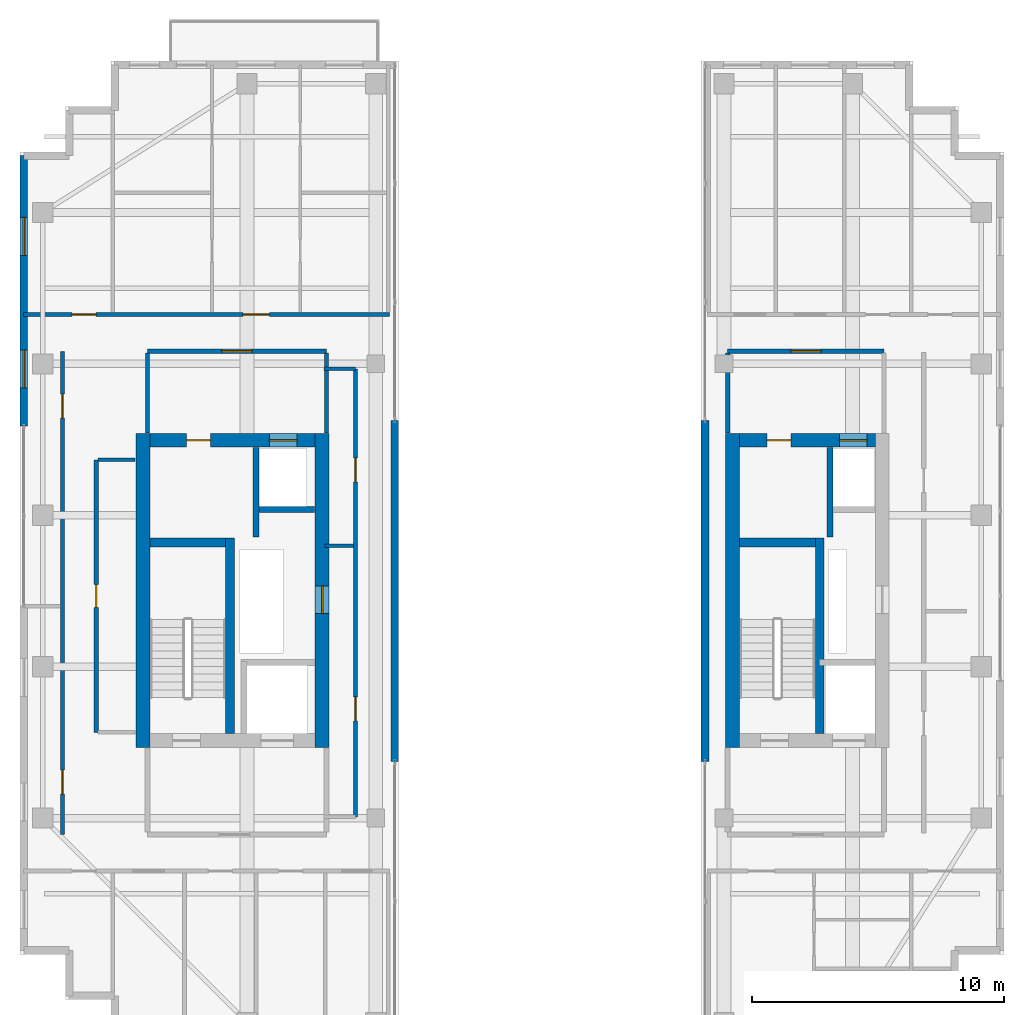
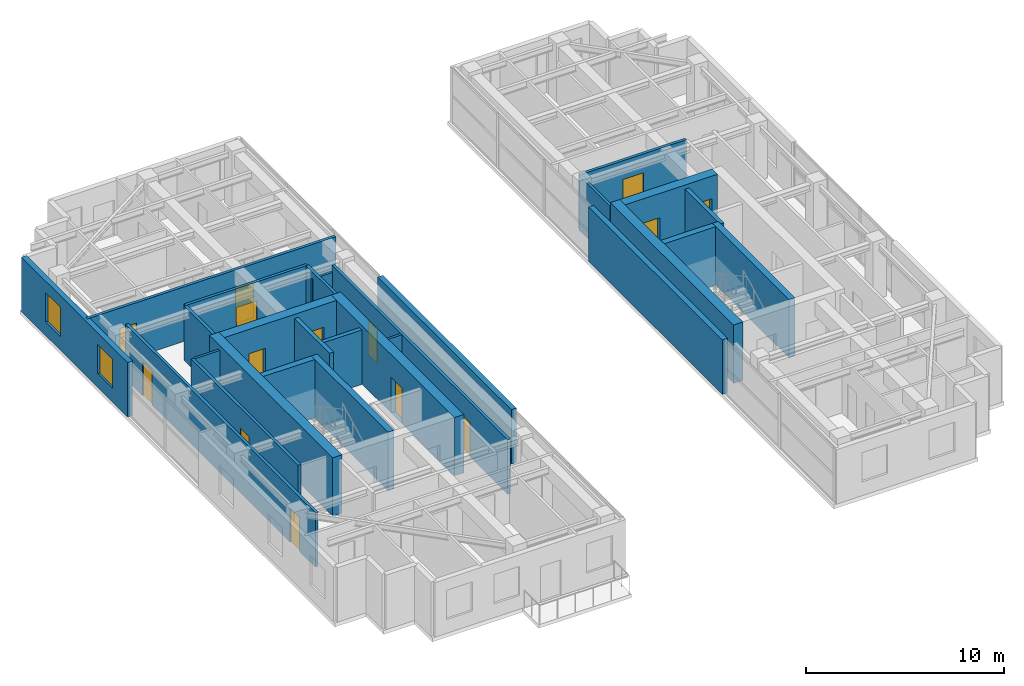
# One storey, part 18 of 22: 27 walls, 14 doors, 2 windows, 16 openings.
"""IFC4 building model written with IfcOpenShell, lengths in metres."""

from ifc_helpers import new_model, si_unit, direction, frame, frame_2d, origin, place, context, subcontext, project, spatial, rectangle, extrude, source, transform, mapped, material, layer, layer_set, type_object, element, fill, save


model = new_model("IFC4")

# Units and contexts
model_context = context("Model", 3, precision=1e-05, world=origin(), true_north=direction((0.0, 1.0)))
body_context = subcontext(model_context, "Body", "Model", "MODEL_VIEW")
ifc_project = project(units=[si_unit("LENGTHUNIT", "METRE"), si_unit("AREAUNIT", "SQUARE_METRE"), si_unit("VOLUMEUNIT", "CUBIC_METRE"), si_unit("PLANEANGLEUNIT", "RADIAN"), si_unit("MASSUNIT", "GRAM", prefix="KILO")], contexts=[model_context])

# Site, building, storey
site_placement = place(None, origin())
site = spatial("IfcSite", under=ifc_project, at=site_placement, CompositionType="ELEMENT")
building_placement = place(site_placement, origin())
building = spatial("IfcBuilding", under=site, at=building_placement, Name="Khoralis Quay Care Tower", CompositionType="ELEMENT")
storey_placement = place(building_placement, frame((0.0, 0.0, 260.10009765625)))
storey = spatial("IfcBuildingStorey", under=building, at=storey_placement, Name="L68", CompositionType="ELEMENT", Elevation=260.10009765625)

# Wall
ifc_material_1 = material(Name="Concrete C65/80", Category="concrete")
ifc_layer_1 = layer(ifc_material_1, 0.550048828125)
ifc_layer_set_1 = layer_set([ifc_layer_1], Name="Concrete C65/80")
wall_type_1 = type_object("IfcWallType", Name="WL-CORE-550", PredefinedType="SHEAR", material=ifc_layer_set_1)
wall_1_placement = place(storey_placement, frame((7.875, 14.800048828125, 0.0), z_axis=(0.0, 0.0, 1.0), x_axis=(0.0, 1.0, 0.0)))
element("IfcWall", 1, at=wall_1_placement, inside=storey, type_object=wall_type_1, Name="L68 WCORE West Shear Wall", PredefinedType="SHEAR", context=body_context, shape_type="SweptSolid", body=[
    extrude(rectangle(XDim=12.449951171875, YDim=0.550048828125, at=frame_2d((6.22509765625, 0.0))), origin(), (0.0, 0.0, 1.0), 3.599853515625),
])

# Wall, opening, door
wall_2_placement = place(storey_placement, frame((14.97509765625, 14.800048828125, 0.0), z_axis=(0.0, 0.0, 1.0), x_axis=(0.0, 1.0, 0.0)))
wall_2 = element("IfcWall", 2, at=wall_2_placement, inside=storey, type_object=wall_type_1, Name="L68 WCORE East Shear Wall", PredefinedType="SHEAR", context=body_context, shape_type="SweptSolid", body=[
    extrude(rectangle(XDim=12.449951171875, YDim=0.550048828125, at=frame_2d((6.22509765625, 0.0))), origin(), (0.0, 0.0, 1.0), 3.599853515625),
])
opening_1_placement = place(wall_2_placement, frame((5.300048828125, 0.0, 0.0)))
opening_1 = element("IfcOpeningElement", 3, at=opening_1_placement, cuts=wall_2, Name="Opening SD1", PredefinedType="OPENING", context=body_context, shape_type="SweptSolid", body=[
    extrude(rectangle(XDim=1.10009765625, YDim=2.199951171875, at=frame_2d((0.550048828125, 1.10009765625))), frame((0.0, 0.28515625, 0.0), z_axis=(0.0, -1.0, 0.0), x_axis=(1.0, 0.0, 0.0)), (0.0, 0.0, 1.0), 0.570068359375),
])
ifc_material_2 = material(Name="Fire-rated painted steel", Category="steel")
door_type_1 = type_object("IfcDoorType", Name="DR-STAIR-1100X2200", OperationType="NOTDEFINED", PredefinedType="DOOR", material=ifc_material_2)
shared_shape_1 = source(origin(), body_context, "Body", "SweptSolid", [
    extrude(rectangle(XDim=1.10009765625, YDim=2.199951171875, at=frame_2d((0.550048828125, 1.10009765625))), frame((0.0, 0.02490234375, 0.0), z_axis=(0.0, -1.0, 0.0), x_axis=(1.0, 0.0, 0.0)), (0.0, 0.0, 1.0), 0.050048828125),
])
door_1_placement = place(opening_1_placement, origin())
door_1 = element("IfcDoor", 4, at=door_1_placement, inside=storey, type_object=door_type_1, Name="L68 West MEP Riser Door", OperationType="SINGLE_SWING_RIGHT", OverallHeight=2.199951171875, OverallWidth=1.10009765625, PredefinedType="DOOR", context=body_context, shape_type="MappedRepresentation", body=[
    mapped(shared_shape_1, transform((0.0, 0.0, 0.0), scale=1.0)),
])
fill(opening_1, door_1)

# Wall, openings, doors
wall_3_placement = place(storey_placement, frame((8.14990234375, 26.97509765625, 0.0), z_axis=(0.0, 0.0, 1.0), x_axis=(1.0, 0.0, 0.0)))
wall_3 = element("IfcWall", 5, at=wall_3_placement, inside=storey, type_object=wall_type_1, Name="L68 WCORE North Shear Wall", PredefinedType="SHEAR", context=body_context, shape_type="SweptSolid", body=[
    extrude(rectangle(XDim=6.550048828125, YDim=0.550048828125, at=frame_2d((3.27490234375, 0.0))), origin(), (0.0, 0.0, 1.0), 3.599853515625),
])
opening_2_placement = place(wall_3_placement, frame((1.449951171875, 0.0, 0.0)))
opening_2 = element("IfcOpeningElement", 6, at=opening_2_placement, cuts=wall_3, Name="Opening ID1", PredefinedType="OPENING", context=body_context, shape_type="SweptSolid", body=[
    extrude(rectangle(XDim=0.949951171875, YDim=2.10009765625, at=frame_2d((0.47509765625, 1.050048828125))), frame((0.0, 0.28515625, 0.0), z_axis=(0.0, -1.0, 0.0), x_axis=(1.0, 0.0, 0.0)), (0.0, 0.0, 1.0), 0.570068359375),
])
opening_3_placement = place(wall_3_placement, frame((4.72998046875, 0.0, 0.0)))
opening_3 = element("IfcOpeningElement", 7, at=opening_3_placement, cuts=wall_3, Name="Opening LD1", PredefinedType="OPENING", context=body_context, shape_type="SweptSolid", body=[
    extrude(rectangle(XDim=1.10009765625, YDim=2.199951171875, at=frame_2d((0.550048828125, 1.10009765625))), frame((0.0, 0.28515625, 0.0), z_axis=(0.0, -1.0, 0.0), x_axis=(1.0, 0.0, 0.0)), (0.0, 0.0, 1.0), 0.570068359375),
])
ifc_material_3 = material(Name="Brushed stainless steel", Category="steel")
door_type_2 = type_object("IfcDoorType", Name="DR-LIFT-1100X2200", OperationType="SLIDING_TO_LEFT", PredefinedType="DOOR", material=ifc_material_3)
shared_shape_2 = source(origin(), body_context, "Body", "SweptSolid", [
    extrude(rectangle(XDim=1.10009765625, YDim=2.199951171875, at=frame_2d((0.550048828125, 1.10009765625))), frame((0.0, 0.02490234375, 0.0), z_axis=(0.0, -1.0, 0.0), x_axis=(1.0, 0.0, 0.0)), (0.0, 0.0, 1.0), 0.050048828125),
])
door_2_placement = place(opening_3_placement, origin())
door_2 = element("IfcDoor", 8, at=door_2_placement, inside=storey, type_object=door_type_2, Name="L68 Lift PLH1 Landing Door", OperationType="SLIDING_TO_LEFT", OverallHeight=2.199951171875, OverallWidth=1.10009765625, PredefinedType="DOOR", context=body_context, shape_type="MappedRepresentation", body=[
    mapped(shared_shape_2, transform((0.0, 0.0, 0.0), scale=1.0)),
])
fill(opening_3, door_2)
ifc_material_4 = material(Name="Acoustic hardwood timber", Category="wood")
door_type_3 = type_object("IfcDoorType", Name="DR-ROOM-950X2100", OperationType="NOTDEFINED", PredefinedType="DOOR", material=ifc_material_4)
shared_shape_3 = source(origin(), body_context, "Body", "SweptSolid", [
    extrude(rectangle(XDim=0.949951171875, YDim=2.10009765625, at=frame_2d((0.47509765625, 1.050048828125))), frame((0.0, 0.02490234375, 0.0), z_axis=(0.0, -1.0, 0.0), x_axis=(1.0, 0.0, 0.0)), (0.0, 0.0, 1.0), 0.050048828125),
])
door_3_placement = place(opening_2_placement, frame((0.949951171875, 0.0, 0.0), z_axis=(0.0, 0.0, 1.0), x_axis=(-1.0, 0.0, 0.0)))
door_3 = element("IfcDoor", 9, at=door_3_placement, inside=storey, type_object=door_type_3, Name="L68 Telemetry Room Door", OperationType="SINGLE_SWING_RIGHT", OverallHeight=2.10009765625, OverallWidth=0.949951171875, PredefinedType="DOOR", context=body_context, shape_type="MappedRepresentation", body=[
    mapped(shared_shape_3, transform((0.0, 0.0, 0.0), scale=1.0)),
])
fill(opening_2, door_3)

# Wall
wall_4_placement = place(storey_placement, frame((31.2451171875, 14.800048828125, 0.0), z_axis=(0.0, 0.0, 1.0), x_axis=(0.0, 1.0, 0.0)))
element("IfcWall", 10, at=wall_4_placement, inside=storey, type_object=wall_type_1, Name="L68 ECORE West Shear Wall", PredefinedType="SHEAR", context=body_context, shape_type="SweptSolid", body=[
    extrude(rectangle(XDim=12.449951171875, YDim=0.550048828125, at=frame_2d((6.22509765625, 0.0))), origin(), (0.0, 0.0, 1.0), 3.599853515625),
])

# Wall, openings, doors
wall_5_placement = place(storey_placement, frame((31.52001953125, 26.97509765625, 0.0), z_axis=(0.0, 0.0, 1.0), x_axis=(1.0, 0.0, 0.0)))
wall_5 = element("IfcWall", 11, at=wall_5_placement, inside=storey, type_object=wall_type_1, Name="L68 ECORE North Shear Wall", PredefinedType="SHEAR", context=body_context, shape_type="SweptSolid", body=[
    extrude(rectangle(XDim=5.3798828125, YDim=0.550048828125, at=frame_2d((2.68994140625, 0.0))), origin(), (0.0, 0.0, 1.0), 3.599853515625),
])
opening_4_placement = place(wall_5_placement, frame((1.080078125, 0.0, 0.0)))
opening_4 = element("IfcOpeningElement", 12, at=opening_4_placement, cuts=wall_5, Name="Opening ID1", PredefinedType="OPENING", context=body_context, shape_type="SweptSolid", body=[
    extrude(rectangle(XDim=0.949951171875, YDim=2.10009765625, at=frame_2d((0.47509765625, 1.050048828125))), frame((0.0, 0.28515625, 0.0), z_axis=(0.0, -1.0, 0.0), x_axis=(1.0, 0.0, 0.0)), (0.0, 0.0, 1.0), 0.570068359375),
])
opening_5_placement = place(wall_5_placement, frame((3.9599609375, 0.0, 0.0)))
opening_5 = element("IfcOpeningElement", 13, at=opening_5_placement, cuts=wall_5, Name="Opening LD1", PredefinedType="OPENING", context=body_context, shape_type="SweptSolid", body=[
    extrude(rectangle(XDim=1.10009765625, YDim=2.199951171875, at=frame_2d((0.550048828125, 1.10009765625))), frame((0.0, 0.28515625, 0.0), z_axis=(0.0, -1.0, 0.0), x_axis=(1.0, 0.0, 0.0)), (0.0, 0.0, 1.0), 0.570068359375),
])
door_4_placement = place(opening_5_placement, origin())
door_4 = element("IfcDoor", 14, at=door_4_placement, inside=storey, type_object=door_type_2, Name="L68 Lift PLH2 Landing Door", OperationType="SLIDING_TO_LEFT", OverallHeight=2.199951171875, OverallWidth=1.10009765625, PredefinedType="DOOR", context=body_context, shape_type="MappedRepresentation", body=[
    mapped(shared_shape_2, transform((0.0, 0.0, 0.0), scale=1.0)),
])
fill(opening_5, door_4)
door_5_placement = place(opening_4_placement, frame((0.949951171875, 0.0, 0.0), z_axis=(0.0, 0.0, 1.0), x_axis=(-1.0, 0.0, 0.0)))
door_5 = element("IfcDoor", 15, at=door_5_placement, inside=storey, type_object=door_type_3, Name="L68 Rehab Studio Door", OperationType="SINGLE_SWING_LEFT", OverallHeight=2.10009765625, OverallWidth=0.949951171875, PredefinedType="DOOR", context=body_context, shape_type="MappedRepresentation", body=[
    mapped(shared_shape_3, transform((0.0, 0.0, 0.0), scale=1.0)),
])
fill(opening_4, door_5)

# Wall, opening, door
ifc_material_5 = material(Name="Gypsum plasterboard on acoustic metal stud")
ifc_layer_2 = layer(ifc_material_5, 0.1650390625)
ifc_layer_set_2 = layer_set([ifc_layer_2], Name="Gypsum plasterboard on acoustic metal stud")
wall_type_2 = type_object("IfcWallType", Name="WL-CORR-165", PredefinedType="PARTITIONING", material=ifc_layer_set_2)
wall_6_placement = place(storey_placement, frame((8.050048828125, 30.5, 0.0), z_axis=(0.0, 0.0, 1.0), x_axis=(1.0, 0.0, 0.0)))
wall_6 = element("IfcWall", 16, at=wall_6_placement, inside=storey, type_object=wall_type_2, Name="L68 West Lift Lobby North Wall", PredefinedType="PARTITIONING", context=body_context, shape_type="SweptSolid", body=[
    extrude(rectangle(XDim=7.099853515625, YDim=0.1650390625, at=frame_2d((3.5498046875, 0.0))), origin(), (0.0, 0.0, 1.0), 3.35986328125),
])
opening_6_placement = place(wall_6_placement, frame((2.949951171875, 0.0, 0.0)))
opening_6 = element("IfcOpeningElement", 17, at=opening_6_placement, cuts=wall_6, Name="Opening FD1", PredefinedType="OPENING", context=body_context, shape_type="SweptSolid", body=[
    extrude(rectangle(XDim=1.199951171875, YDim=2.199951171875, at=frame_2d((0.60009765625, 1.10009765625))), frame((0.0, 0.092529296875, 0.0), z_axis=(0.0, -1.0, 0.0), x_axis=(1.0, 0.0, 0.0)), (0.0, 0.0, 1.0), 0.18505859375),
])
door_type_4 = type_object("IfcDoorType", Name="DR-FFL-1200X2200", OperationType="NOTDEFINED", PredefinedType="DOOR", material=ifc_material_2)
shared_shape_4 = source(origin(), body_context, "Body", "SweptSolid", [
    extrude(rectangle(XDim=1.199951171875, YDim=2.199951171875, at=frame_2d((0.60009765625, 1.10009765625))), frame((0.0, 0.02490234375, 0.0), z_axis=(0.0, -1.0, 0.0), x_axis=(1.0, 0.0, 0.0)), (0.0, 0.0, 1.0), 0.050048828125),
])
door_6_placement = place(opening_6_placement, origin())
door_6 = element("IfcDoor", 18, at=door_6_placement, inside=storey, type_object=door_type_4, Name="L68 West Lift Lobby Double Door", OperationType="DOUBLE_DOOR_SINGLE_SWING", OverallHeight=2.199951171875, OverallWidth=1.199951171875, PredefinedType="DOOR", context=body_context, shape_type="MappedRepresentation", body=[
    mapped(shared_shape_4, transform((0.0, 0.0, 0.0), scale=1.0)),
])
fill(opening_6, door_6)

# Walls
for number, where, z_axis, x_axis, name in (
    (19, (8.050048828125, 27.27001953125, 0.0), (0.0, 0.0, 1.0), (0.0, 1.0, 0.0), "L68 West Lift Lobby West Wall"),
    (20, (15.14990234375, 27.27001953125, 0.0), (0.0, 0.0, 1.0), (0.0, 1.0, 0.0), "L68 West Lift Lobby East Wall"),
):
    element("IfcWall", number, at=place(storey_placement, frame(where, z_axis=z_axis, x_axis=x_axis)), inside=storey, type_object=wall_type_2, Name=name, PredefinedType="PARTITIONING", context=body_context, shape_type="SweptSolid", body=[
        extrude(rectangle(XDim=3.152587890625, YDim=0.1650390625, at=frame_2d((1.576171875, 0.0))), origin(), (0.0, 0.0, 1.0), 3.35986328125),
    ])

# Wall, opening, door
wall_7_placement = place(storey_placement, frame((31.050048828125, 30.5, 0.0), z_axis=(0.0, 0.0, 1.0), x_axis=(1.0, 0.0, 0.0)))
wall_7 = element("IfcWall", 21, at=wall_7_placement, inside=storey, type_object=wall_type_2, Name="L68 East Lift Lobby North Wall", PredefinedType="PARTITIONING", context=body_context, shape_type="SweptSolid", body=[
    extrude(rectangle(XDim=6.199951171875, YDim=0.1650390625, at=frame_2d((3.10009765625, 0.0))), origin(), (0.0, 0.0, 1.0), 3.35986328125),
])
opening_7_placement = place(wall_7_placement, frame((2.5, 0.0, 0.0)))
opening_7 = element("IfcOpeningElement", 22, at=opening_7_placement, cuts=wall_7, Name="Opening FD1", PredefinedType="OPENING", context=body_context, shape_type="SweptSolid", body=[
    extrude(rectangle(XDim=1.199951171875, YDim=2.199951171875, at=frame_2d((0.60009765625, 1.10009765625))), frame((0.0, 0.092529296875, 0.0), z_axis=(0.0, -1.0, 0.0), x_axis=(1.0, 0.0, 0.0)), (0.0, 0.0, 1.0), 0.18505859375),
])
door_7_placement = place(opening_7_placement, origin())
door_7 = element("IfcDoor", 23, at=door_7_placement, inside=storey, type_object=door_type_4, Name="L68 East Lift Lobby Double Door", OperationType="DOUBLE_DOOR_SINGLE_SWING", OverallHeight=2.199951171875, OverallWidth=1.199951171875, PredefinedType="DOOR", context=body_context, shape_type="MappedRepresentation", body=[
    mapped(shared_shape_4, transform((0.0, 0.0, 0.0), scale=1.0)),
])
fill(opening_7, door_7)

# Wall
wall_8_placement = place(storey_placement, frame((31.050048828125, 27.27001953125, 0.0), z_axis=(0.0, 0.0, 1.0), x_axis=(0.0, 1.0, 0.0)))
element("IfcWall", 24, at=wall_8_placement, inside=storey, type_object=wall_type_2, Name="L68 East Lift Lobby West Wall", PredefinedType="PARTITIONING", context=body_context, shape_type="SweptSolid", body=[
    extrude(rectangle(XDim=3.152587890625, YDim=0.1650390625, at=frame_2d((1.576171875, 0.0))), origin(), (0.0, 0.0, 1.0), 3.35986328125),
])

# Wall, opening, door
wall_9_placement = place(storey_placement, frame((6.02001953125, 15.39990234375, 0.0), z_axis=(0.0, 0.0, 1.0), x_axis=(0.0, 1.0, 0.0)))
wall_9 = element("IfcWall", 25, at=wall_9_placement, inside=storey, type_object=wall_type_2, Name="L68 West Core Service Flank Wall", PredefinedType="PARTITIONING", context=body_context, shape_type="SweptSolid", body=[
    extrude(rectangle(XDim=10.800048828125, YDim=0.1650390625, at=frame_2d((5.39990234375, 0.0))), origin(), (0.0, 0.0, 1.0), 3.35986328125),
])
opening_8_placement = place(wall_9_placement, frame((4.949951171875, 0.0, 0.0)))
opening_8 = element("IfcOpeningElement", 26, at=opening_8_placement, cuts=wall_9, Name="Opening WD1", PredefinedType="OPENING", context=body_context, shape_type="SweptSolid", body=[
    extrude(rectangle(XDim=0.89990234375, YDim=2.10009765625, at=frame_2d((0.449951171875, 1.050048828125))), frame((0.0, 0.092529296875, 0.0), z_axis=(0.0, -1.0, 0.0), x_axis=(1.0, 0.0, 0.0)), (0.0, 0.0, 1.0), 0.18505859375),
])
door_type_5 = type_object("IfcDoorType", Name="DR-BATH-900X2100", OperationType="NOTDEFINED", PredefinedType="DOOR", material=ifc_material_4)
shared_shape_5 = source(origin(), body_context, "Body", "SweptSolid", [
    extrude(rectangle(XDim=0.89990234375, YDim=2.10009765625, at=frame_2d((0.449951171875, 1.050048828125))), frame((0.0, 0.02490234375, 0.0), z_axis=(0.0, -1.0, 0.0), x_axis=(1.0, 0.0, 0.0)), (0.0, 0.0, 1.0), 0.050048828125),
])
door_8_placement = place(opening_8_placement, frame((0.89990234375, 0.0, 0.0), z_axis=(0.0, 0.0, 1.0), x_axis=(-1.0, 0.0, 0.0)))
door_8 = element("IfcDoor", 27, at=door_8_placement, inside=storey, type_object=door_type_5, Name="L68 Housekeeping & Public Accessible WC Door", OperationType="SINGLE_SWING_LEFT", OverallHeight=2.10009765625, OverallWidth=0.89990234375, PredefinedType="DOOR", context=body_context, shape_type="MappedRepresentation", body=[
    mapped(shared_shape_5, transform((0.0, 0.0, 0.0), scale=1.0)),
])
fill(opening_8, door_8)

# Wall, openings, doors
wall_10_placement = place(storey_placement, frame((3.14501953125, 31.9599609375, 0.0), z_axis=(0.0, 0.0, 1.0), x_axis=(1.0, 0.0, 0.0)))
wall_10 = element("IfcWall", 28, at=wall_10_placement, inside=storey, type_object=wall_type_2, Name="L68 West Wing North Corridor Wall", PredefinedType="PARTITIONING", context=body_context, shape_type="SweptSolid", body=[
    extrude(rectangle(XDim=14.5048828125, YDim=0.1650390625, at=frame_2d((7.25244140625, 0.0))), origin(), (0.0, 0.0, 1.0), 3.35986328125),
])
opening_9_placement = place(wall_10_placement, frame((8.6884765625, 0.0, 0.0)))
opening_9 = element("IfcOpeningElement", 29, at=opening_9_placement, cuts=wall_10, Name="Opening UD1", PredefinedType="OPENING", context=body_context, shape_type="SweptSolid", body=[
    extrude(rectangle(XDim=1.050048828125, YDim=2.14990234375, at=frame_2d((0.52490234375, 1.074951171875))), frame((0.0, 0.092529296875, 0.0), z_axis=(0.0, -1.0, 0.0), x_axis=(1.0, 0.0, 0.0)), (0.0, 0.0, 1.0), 0.18505859375),
])
opening_10_placement = place(wall_10_placement, frame((1.919921875, 0.0, 0.0)))
opening_10 = element("IfcOpeningElement", 30, at=opening_10_placement, cuts=wall_10, Name="Opening ID1", PredefinedType="OPENING", context=body_context, shape_type="SweptSolid", body=[
    extrude(rectangle(XDim=0.949951171875, YDim=2.10009765625, at=frame_2d((0.47509765625, 1.050048828125))), frame((0.0, 0.092529296875, 0.0), z_axis=(0.0, -1.0, 0.0), x_axis=(1.0, 0.0, 0.0)), (0.0, 0.0, 1.0), 0.18505859375),
])
door_9_placement = place(opening_10_placement, origin())
door_9 = element("IfcDoor", 31, at=door_9_placement, inside=storey, type_object=door_type_3, Name="L68 NW Corner Door", OperationType="SINGLE_SWING_RIGHT", OverallHeight=2.10009765625, OverallWidth=0.949951171875, PredefinedType="DOOR", context=body_context, shape_type="MappedRepresentation", body=[
    mapped(shared_shape_3, transform((0.0, 0.0, 0.0), scale=1.0)),
])
fill(opening_10, door_9)
door_type_6 = type_object("IfcDoorType", Name="DR-SUITE-1050X2150", OperationType="NOTDEFINED", PredefinedType="DOOR", material=ifc_material_4)
shared_shape_6 = source(origin(), body_context, "Body", "SweptSolid", [
    extrude(rectangle(XDim=1.050048828125, YDim=2.14990234375, at=frame_2d((0.52490234375, 1.074951171875))), frame((0.0, 0.02490234375, 0.0), z_axis=(0.0, -1.0, 0.0), x_axis=(1.0, 0.0, 0.0)), (0.0, 0.0, 1.0), 0.050048828125),
])
door_10_placement = place(opening_9_placement, origin())
door_10 = element("IfcDoor", 32, at=door_10_placement, inside=storey, type_object=door_type_6, Name="L68 2BR WN0 Entrance", OperationType="SINGLE_SWING_LEFT", OverallHeight=2.14990234375, OverallWidth=1.050048828125, PredefinedType="DOOR", context=body_context, shape_type="MappedRepresentation", body=[
    mapped(shared_shape_6, transform((0.0, 0.0, 0.0), scale=1.0)),
])
fill(opening_9, door_10)

wall_11_placement = place(storey_placement, frame((4.679931640625, 11.35009765625, 0.0), z_axis=(0.0, 0.0, 1.0), x_axis=(0.0, 1.0, 0.0)))
wall_11 = element("IfcWall", 33, at=wall_11_placement, inside=storey, type_object=wall_type_2, Name="L68 West Mid South Entry Wall", PredefinedType="PARTITIONING", context=body_context, shape_type="SweptSolid", body=[
    extrude(rectangle(XDim=19.14990234375, YDim=0.1650390625, at=frame_2d((9.574951171875, 0.0))), origin(), (0.0, 0.0, 1.0), 3.35986328125),
])
opening_11_placement = place(wall_11_placement, frame((1.60009765625, 0.0, 0.0)))
opening_11 = element("IfcOpeningElement", 34, at=opening_11_placement, cuts=wall_11, Name="Opening ID1", PredefinedType="OPENING", context=body_context, shape_type="SweptSolid", body=[
    extrude(rectangle(XDim=0.949951171875, YDim=2.10009765625, at=frame_2d((0.47509765625, 1.050048828125))), frame((0.0, 0.092529296875, 0.0), z_axis=(0.0, -1.0, 0.0), x_axis=(1.0, 0.0, 0.0)), (0.0, 0.0, 1.0), 0.18505859375),
])
opening_12_placement = place(wall_11_placement, frame((16.5, 0.0, 0.0)))
opening_12 = element("IfcOpeningElement", 35, at=opening_12_placement, cuts=wall_11, Name="Opening ID1", PredefinedType="OPENING", context=body_context, shape_type="SweptSolid", body=[
    extrude(rectangle(XDim=0.949951171875, YDim=2.10009765625, at=frame_2d((0.47509765625, 1.050048828125))), frame((0.0, 0.092529296875, 0.0), z_axis=(0.0, -1.0, 0.0), x_axis=(1.0, 0.0, 0.0)), (0.0, 0.0, 1.0), 0.18505859375),
])
door_11_placement = place(opening_11_placement, frame((0.949951171875, 0.0, 0.0), z_axis=(0.0, 0.0, 1.0), x_axis=(-1.0, 0.0, 0.0)))
door_11 = element("IfcDoor", 36, at=door_11_placement, inside=storey, type_object=door_type_3, Name="L68 West Daylight Care Bedroom Door", OperationType="SINGLE_SWING_LEFT", OverallHeight=2.10009765625, OverallWidth=0.949951171875, PredefinedType="DOOR", context=body_context, shape_type="MappedRepresentation", body=[
    mapped(shared_shape_3, transform((0.0, 0.0, 0.0), scale=1.0)),
])
fill(opening_11, door_11)
door_12_placement = place(opening_12_placement, frame((0.949951171875, 0.0, 0.0), z_axis=(0.0, 0.0, 1.0), x_axis=(-1.0, 0.0, 0.0)))
door_12 = element("IfcDoor", 37, at=door_12_placement, inside=storey, type_object=door_type_3, Name="L68 West Waterfront Living Suite Door", OperationType="SINGLE_SWING_RIGHT", OverallHeight=2.10009765625, OverallWidth=0.949951171875, PredefinedType="DOOR", context=body_context, shape_type="MappedRepresentation", body=[
    mapped(shared_shape_3, transform((0.0, 0.0, 0.0), scale=1.0)),
])
fill(opening_12, door_12)

wall_12_placement = place(storey_placement, frame((16.300048828125, 12.050048828125, 0.0), z_axis=(0.0, 0.0, 1.0), x_axis=(0.0, 1.0, 0.0)))
wall_12 = element("IfcWall", 38, at=wall_12_placement, inside=storey, type_object=wall_type_2, Name="L68 Portal Gallery Wall", PredefinedType="PARTITIONING", context=body_context, shape_type="SweptSolid", body=[
    extrude(rectangle(XDim=17.75, YDim=0.1650390625, at=frame_2d((8.875, 0.0))), origin(), (0.0, 0.0, 1.0), 3.35986328125),
])
opening_13_placement = place(wall_12_placement, frame((3.800048828125, 0.0, 0.0)))
opening_13 = element("IfcOpeningElement", 39, at=opening_13_placement, cuts=wall_12, Name="Opening ID1", PredefinedType="OPENING", context=body_context, shape_type="SweptSolid", body=[
    extrude(rectangle(XDim=0.949951171875, YDim=2.10009765625, at=frame_2d((0.47509765625, 1.050048828125))), frame((0.0, 0.092529296875, 0.0), z_axis=(0.0, -1.0, 0.0), x_axis=(1.0, 0.0, 0.0)), (0.0, 0.0, 1.0), 0.18505859375),
])
opening_14_placement = place(wall_12_placement, frame((13.27490234375, 0.0, 0.0)))
opening_14 = element("IfcOpeningElement", 40, at=opening_14_placement, cuts=wall_12, Name="Opening ID1", PredefinedType="OPENING", context=body_context, shape_type="SweptSolid", body=[
    extrude(rectangle(XDim=0.949951171875, YDim=2.10009765625, at=frame_2d((0.47509765625, 1.050048828125))), frame((0.0, 0.092529296875, 0.0), z_axis=(0.0, -1.0, 0.0), x_axis=(1.0, 0.0, 0.0)), (0.0, 0.0, 1.0), 0.18505859375),
])
door_13_placement = place(opening_13_placement, frame((0.949951171875, 0.0, 0.0), z_axis=(0.0, 0.0, 1.0), x_axis=(-1.0, 0.0, 0.0)))
door_13 = element("IfcDoor", 41, at=door_13_placement, inside=storey, type_object=door_type_3, Name="L68 Portal Lounge Door", OperationType="SINGLE_SWING_LEFT", OverallHeight=2.10009765625, OverallWidth=0.949951171875, PredefinedType="DOOR", context=body_context, shape_type="MappedRepresentation", body=[
    mapped(shared_shape_3, transform((0.0, 0.0, 0.0), scale=1.0)),
])
fill(opening_13, door_13)
door_14_placement = place(opening_14_placement, frame((0.949951171875, 0.0, 0.0), z_axis=(0.0, 0.0, 1.0), x_axis=(-1.0, 0.0, 0.0)))
door_14 = element("IfcDoor", 42, at=door_14_placement, inside=storey, type_object=door_type_3, Name="L68 Portal Office Door", OperationType="SINGLE_SWING_RIGHT", OverallHeight=2.10009765625, OverallWidth=0.949951171875, PredefinedType="DOOR", context=body_context, shape_type="MappedRepresentation", body=[
    mapped(shared_shape_3, transform((0.0, 0.0, 0.0), scale=1.0)),
])
fill(opening_14, door_14)

# Wall
ifc_material_6 = material(Name="Precast concrete C45/55", Category="concrete")
ifc_layer_3 = layer(ifc_material_6, 0.300048828125)
ifc_layer_set_3 = layer_set([ifc_layer_3], Name="Precast concrete C45/55")
wall_type_3 = type_object("IfcWallType", Name="WL-EXT-REF-300", PredefinedType="SOLIDWALL", material=ifc_layer_set_3)
wall_13_placement = place(storey_placement, frame((17.85009765625, 14.25, 0.0), z_axis=(0.0, 0.0, 1.0), x_axis=(0.0, 1.0, 0.0)))
element("IfcWall", 43, at=wall_13_placement, inside=storey, type_object=wall_type_3, Name="L68 External Facade Wall WL-VP-L68-P1-M", PredefinedType="SOLIDWALL", context=body_context, shape_type="SweptSolid", body=[
    extrude(rectangle(XDim=13.5, YDim=0.300048828125, at=frame_2d((6.75, 0.0))), origin(), (0.0, 0.0, 1.0), 3.35986328125),
])

# Wall, openings, windows
wall_14_placement = place(storey_placement, frame((3.14990234375, 38.25, 0.0), z_axis=(0.0, 0.0, 1.0), x_axis=(0.0, -1.0, 0.0)))
wall_14 = element("IfcWall", 44, at=wall_14_placement, inside=storey, type_object=wall_type_3, Name="L68 External Facade Wall WL-EXT-L68-P1-E7A", PredefinedType="SOLIDWALL", context=body_context, shape_type="SweptSolid", body=[
    extrude(rectangle(XDim=10.7099609375, YDim=0.300048828125, at=frame_2d((5.35498046875, 0.0))), origin(), (0.0, 0.0, 1.0), 3.35986328125),
])
opening_15_placement = place(wall_14_placement, frame((2.445068359375, 0.0, 0.85009765625)))
opening_15 = element("IfcOpeningElement", 45, at=opening_15_placement, cuts=wall_14, Name="Opening W3", PredefinedType="OPENING", context=body_context, shape_type="SweptSolid", body=[
    extrude(rectangle(XDim=1.5, YDim=1.800048828125, at=frame_2d((0.75, 0.89990234375))), frame((0.0, 0.16015625, 0.0), z_axis=(0.0, -1.0, 0.0), x_axis=(1.0, 0.0, 0.0)), (0.0, 0.0, 1.0), 0.320068359375),
])
opening_16_placement = place(wall_14_placement, frame((7.699951171875, 0.0, 0.85009765625)))
opening_16 = element("IfcOpeningElement", 46, at=opening_16_placement, cuts=wall_14, Name="Opening W3", PredefinedType="OPENING", context=body_context, shape_type="SweptSolid", body=[
    extrude(rectangle(XDim=1.5, YDim=1.800048828125, at=frame_2d((0.75, 0.89990234375))), frame((0.0, 0.16015625, 0.0), z_axis=(0.0, -1.0, 0.0), x_axis=(1.0, 0.0, 0.0)), (0.0, 0.0, 1.0), 0.320068359375),
])
ifc_material_7 = material(Name="Low-E solar-control double glazing", Category="glass")
window_type = type_object("IfcWindowType", Name="WN-CLIN-1500X1800", PartitioningType="SINGLE_PANEL", PredefinedType="WINDOW", material=ifc_material_7)
shared_shape_7 = source(origin(), body_context, "Body", "SweptSolid", [
    extrude(rectangle(XDim=1.5, YDim=1.800048828125, at=frame_2d((0.75, 0.89990234375))), frame((0.0, 0.030029296875, 0.0), z_axis=(0.0, -1.0, 0.0), x_axis=(1.0, 0.0, 0.0)), (0.0, 0.0, 1.0), 0.06005859375),
])
window_1_placement = place(opening_15_placement, origin())
window_1 = element("IfcWindow", 47, at=window_1_placement, inside=storey, type_object=window_type, Name="WN-L68-P1-E7A Facade Window 01", OverallHeight=1.800048828125, OverallWidth=1.5, PartitioningType="SINGLE_PANEL", PredefinedType="WINDOW", context=body_context, shape_type="MappedRepresentation", body=[
    mapped(shared_shape_7, transform((0.0, 0.0, 0.0), scale=1.0)),
])
fill(opening_15, window_1)
window_2_placement = place(opening_16_placement, origin())
window_2 = element("IfcWindow", 48, at=window_2_placement, inside=storey, type_object=window_type, Name="WN-L68-P1-E7A Facade Window 02", OverallHeight=1.800048828125, OverallWidth=1.5, PartitioningType="SINGLE_PANEL", PredefinedType="WINDOW", context=body_context, shape_type="MappedRepresentation", body=[
    mapped(shared_shape_7, transform((0.0, 0.0, 0.0), scale=1.0)),
])
fill(opening_16, window_2)

# Walls
wall_15_placement = place(storey_placement, frame((30.14990234375, 14.25, 0.0), z_axis=(0.0, 0.0, 1.0), x_axis=(0.0, 1.0, 0.0)))
element("IfcWall", 49, at=wall_15_placement, inside=storey, type_object=wall_type_3, Name="L68 External Facade Wall WL-VP-L68-P2-M", PredefinedType="SOLIDWALL", context=body_context, shape_type="SweptSolid", body=[
    extrude(rectangle(XDim=13.5, YDim=0.300048828125, at=frame_2d((6.75, 0.0))), origin(), (0.0, 0.0, 1.0), 3.35986328125),
])
ifc_material_8 = material(Name="Concrete C40/50", Category="concrete")
ifc_layer_4 = layer(ifc_material_8, 0.35009765625)
ifc_layer_set_4 = layer_set([ifc_layer_4], Name="Concrete C40/50")
wall_type_4 = type_object("IfcWallType", Name="WL-SC-CORE-350", PredefinedType="SHEAR", material=ifc_layer_set_4)
wall_16_placement = place(storey_placement, frame((11.324951171875, 15.35009765625, 0.0), z_axis=(0.0, 0.0, 1.0), x_axis=(0.0, 1.0, 0.0)))
element("IfcWall", 50, at=wall_16_placement, inside=storey, type_object=wall_type_4, Name="L68 Stair ST-T1 Shear Baffle Wall East", PredefinedType="SHEAR", context=body_context, shape_type="SweptSolid", body=[
    extrude(rectangle(XDim=7.75, YDim=0.35009765625, at=frame_2d((3.875, 0.0))), origin(), (0.0, 0.0, 1.0), 3.599853515625),
])
wall_17_placement = place(storey_placement, frame((8.14990234375, 22.925048828125, 0.0), z_axis=(0.0, 0.0, 1.0), x_axis=(1.0, 0.0, 0.0)))
element("IfcWall", 51, at=wall_17_placement, inside=storey, type_object=wall_type_4, Name="L68 Stair ST-T1 Shear Baffle Wall North", PredefinedType="SHEAR", context=body_context, shape_type="SweptSolid", body=[
    extrude(rectangle(XDim=3.0, YDim=0.35009765625, at=frame_2d((1.5, 0.0))), origin(), (0.0, 0.0, 1.0), 3.599853515625),
])
wall_18_placement = place(storey_placement, frame((34.695068359375, 15.35009765625, 0.0), z_axis=(0.0, 0.0, 1.0), x_axis=(0.0, 1.0, 0.0)))
element("IfcWall", 52, at=wall_18_placement, inside=storey, type_object=wall_type_4, Name="L68 Stair ST-T2 Shear Baffle Wall East", PredefinedType="SHEAR", context=body_context, shape_type="SweptSolid", body=[
    extrude(rectangle(XDim=7.75, YDim=0.35009765625, at=frame_2d((3.875, 0.0))), origin(), (0.0, 0.0, 1.0), 3.599853515625),
])
wall_19_placement = place(storey_placement, frame((31.52001953125, 22.925048828125, 0.0), z_axis=(0.0, 0.0, 1.0), x_axis=(1.0, 0.0, 0.0)))
element("IfcWall", 53, at=wall_19_placement, inside=storey, type_object=wall_type_4, Name="L68 Stair ST-T2 Shear Baffle Wall North", PredefinedType="SHEAR", context=body_context, shape_type="SweptSolid", body=[
    extrude(rectangle(XDim=3.0, YDim=0.35009765625, at=frame_2d((1.5, 0.0))), origin(), (0.0, 0.0, 1.0), 3.599853515625),
])
ifc_layer_5 = layer(ifc_material_5, 0.239990234375)
ifc_layer_set_5 = layer_set([ifc_layer_5], Name="Gypsum plasterboard on acoustic metal stud")
wall_type_5 = type_object("IfcWallType", Name="WL-SHAFT-240", PredefinedType="PARTITIONING", material=ifc_layer_set_5)
wall_20_placement = place(storey_placement, frame((12.35009765625, 23.139892578125, 0.0), z_axis=(0.0, 0.0, 1.0), x_axis=(0.0, 1.0, 0.0)))
element("IfcWall", 54, at=wall_20_placement, inside=storey, type_object=wall_type_5, Name="L68 High-Rise Reclaimed Bay Wall West", PredefinedType="PARTITIONING", context=body_context, shape_type="SweptSolid", body=[
    extrude(rectangle(XDim=3.5400390625, YDim=0.239990234375, at=frame_2d((1.77001953125, 0.0))), origin(), (0.0, 0.0, 1.0), 3.35986328125),
])
wall_21_placement = place(storey_placement, frame((12.465087890625, 24.22998046875, 0.0), z_axis=(0.0, 0.0, 1.0), x_axis=(1.0, 0.0, 0.0)))
element("IfcWall", 55, at=wall_21_placement, inside=storey, type_object=wall_type_5, Name="L68 High-Rise Shaft South Wall West", PredefinedType="PARTITIONING", context=body_context, shape_type="SweptSolid", body=[
    extrude(rectangle(XDim=2.21484375, YDim=0.239990234375, at=frame_2d((1.107421875, 0.0))), origin(), (0.0, 0.0, 1.0), 3.35986328125),
])
wall_22_placement = place(storey_placement, frame((35.110107421875, 23.139892578125, 0.0), z_axis=(0.0, 0.0, 1.0), x_axis=(0.0, 1.0, 0.0)))
element("IfcWall", 56, at=wall_22_placement, inside=storey, type_object=wall_type_5, Name="L68 High-Rise Reclaimed Bay Wall East", PredefinedType="PARTITIONING", context=body_context, shape_type="SweptSolid", body=[
    extrude(rectangle(XDim=3.5400390625, YDim=0.239990234375, at=frame_2d((1.77001953125, 0.0))), origin(), (0.0, 0.0, 1.0), 3.35986328125),
])
ifc_layer_6 = layer(ifc_material_5, 0.139892578125)
ifc_layer_set_6 = layer_set([ifc_layer_6], Name="Gypsum plasterboard on acoustic metal stud")
wall_type_6 = type_object("IfcWallType", Name="WL-UNIT-140", PredefinedType="PARTITIONING", material=ifc_layer_set_6)
wall_23_placement = place(storey_placement, frame((6.097412109375, 26.199951171875, 0.0), z_axis=(0.0, 0.0, 1.0), x_axis=(1.0, 0.0, 0.0)))
element("IfcWall", 57, at=wall_23_placement, inside=storey, type_object=wall_type_6, Name="L68 West Flank North Cap", PredefinedType="PARTITIONING", context=body_context, shape_type="SweptSolid", body=[
    extrude(rectangle(XDim=1.462646484375, YDim=0.139892578125, at=frame_2d((0.7314453125, 0.0))), origin(), (0.0, 0.0, 1.0), 3.35986328125),
])
wall_24_placement = place(storey_placement, frame((15.080078125, 22.800048828125, 0.0), z_axis=(0.0, 0.0, 1.0), x_axis=(1.0, 0.0, 0.0)))
element("IfcWall", 58, at=wall_24_placement, inside=storey, type_object=wall_type_6, Name="L68 Portal Lounge Divider", PredefinedType="PARTITIONING", context=body_context, shape_type="SweptSolid", body=[
    extrude(rectangle(XDim=1.142333984375, YDim=0.139892578125, at=frame_2d((0.5712890625, 0.0))), origin(), (0.0, 0.0, 1.0), 3.35986328125),
])
wall_25_placement = place(storey_placement, frame((15.050048828125, 29.800048828125, 0.0), z_axis=(0.0, 0.0, 1.0), x_axis=(1.0, 0.0, 0.0)))
element("IfcWall", 59, at=wall_25_placement, inside=storey, type_object=wall_type_6, Name="L68 Portal Alcove North Wall", PredefinedType="PARTITIONING", context=body_context, shape_type="SweptSolid", body=[
    extrude(rectangle(XDim=1.25, YDim=0.139892578125, at=frame_2d((0.625, 0.0))), origin(), (0.0, 0.0, 1.0), 2.9599609375),
])

save(model, "model.ifc")
